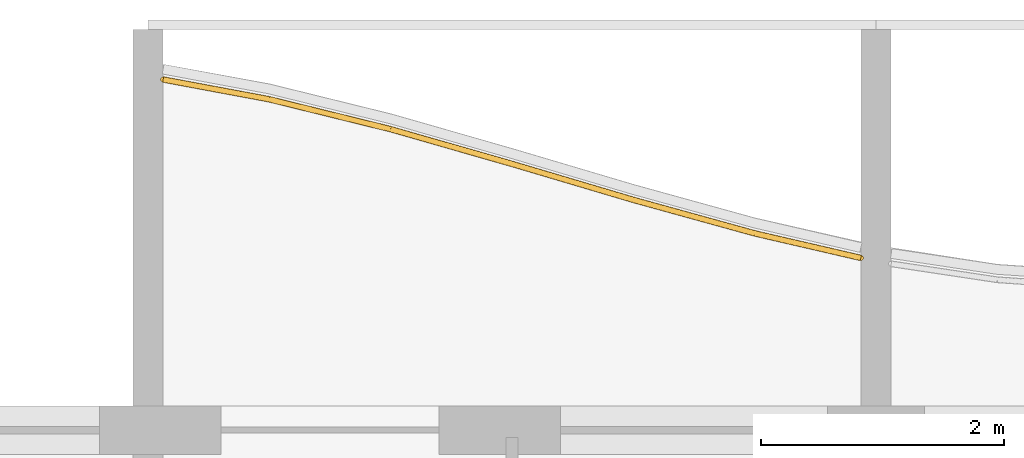
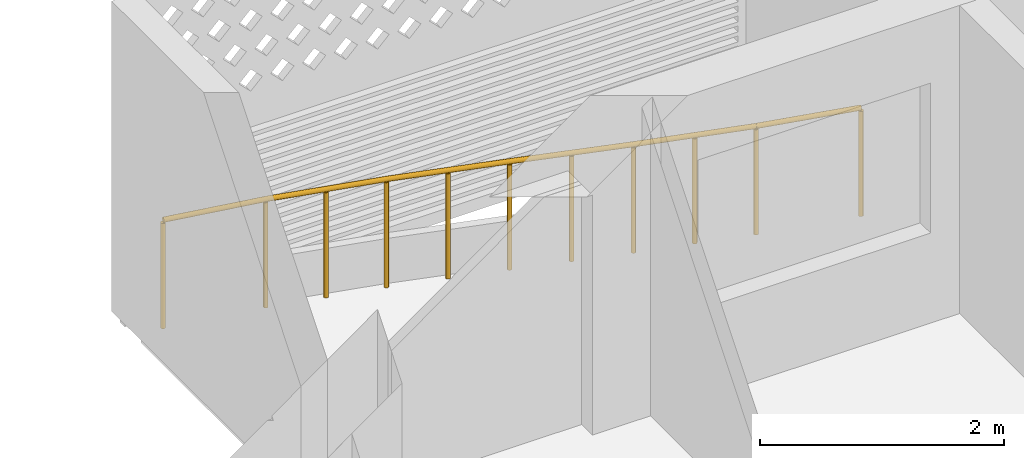
# One storey, part 23 of 26: 1 railing.
"""IFC4 building model written with IfcOpenShell, lengths in metres."""

from ifc_helpers import new_model, si_unit, direction, frame, origin, origin_2d, place, context, subcontext, project, spatial, circle, extrude, material, type_object, element, save


model = new_model("IFC4")

# Units and contexts
model_context = context("Model", 3, precision=1e-05, world=origin(), true_north=direction((0.0, 1.0)))
body_context = subcontext(model_context, "Body", "Model", "MODEL_VIEW")
ifc_project = project(units=[si_unit("LENGTHUNIT", "METRE"), si_unit("AREAUNIT", "SQUARE_METRE"), si_unit("VOLUMEUNIT", "CUBIC_METRE"), si_unit("PLANEANGLEUNIT", "RADIAN"), si_unit("MASSUNIT", "GRAM", prefix="KILO")], contexts=[model_context])

# Site, building, storey
site_placement = place(None, origin())
site = spatial("IfcSite", under=ifc_project, at=site_placement, CompositionType="ELEMENT")
building_placement = place(site_placement, origin())
building = spatial("IfcBuilding", under=site, at=building_placement, Name="Poui Terraces", CompositionType="ELEMENT")
storey_placement = place(building_placement, frame((0.0, 0.0, 178.5)))
storey = spatial("IfcBuildingStorey", under=building, at=storey_placement, Name="L49", CompositionType="ELEMENT", Elevation=178.5)

# Railing
ifc_material = material(Name="Painted steel fretwork", Category="steel")
railing_type = type_object("IfcRailingType", Name="BALCONY GUARD 1100", PredefinedType="GUARDRAIL", material=ifc_material)
railing_placement = place(storey_placement, frame((66.125, 44.08984375, 0.0)))
element("IfcRailing", 1, at=railing_placement, inside=storey, type_object=railing_type, Name="BALCONY GUARD", PredefinedType="GUARDRAIL", context=body_context, shape_type="SweptSolid", body=[
    extrude(circle(Radius=0.02392578125, at=origin_2d()), frame((0.0, 0.0, 1.076171875), z_axis=(0.983070349335, -0.183228513771, 0.0), x_axis=(0.183228513771, 0.983070349335, 0.0)), (0.0, 0.0, 1.0), 0.89013671875),
    extrude(circle(Radius=0.02392578125, at=origin_2d()), frame((0.875, -0.1630859375, 1.076171875), z_axis=(0.970973389115, -0.239187536528, 0.0), x_axis=(0.239187536528, 0.970973389115, 0.0)), (0.0, 0.0, 1.0), 1.02978515625),
    extrude(circle(Radius=0.02392578125, at=origin_2d()), frame((1.875, -0.409423828125, 1.076171875), z_axis=(0.96141758688, -0.275093118121, 0.0), x_axis=(0.275093118121, 0.96141758688, 0.0)), (0.0, 0.0, 1.0), 1.0400390625),
    extrude(circle(Radius=0.02392578125, at=origin_2d()), frame((2.875, -0.695556640625, 1.076171875), z_axis=(0.958774495191, -0.284168026651, 0.0), x_axis=(0.284168026651, 0.958774495191, 0.0)), (0.0, 0.0, 1.0), 1.04296875),
    extrude(circle(Radius=0.02392578125, at=origin_2d()), frame((3.875, -0.991943359375, 1.076171875), z_axis=(0.963928100541, -0.26616276409, 0.0), x_axis=(0.26616276409, 0.963928100541, 0.0)), (0.0, 0.0, 1.0), 1.037353515625),
    extrude(circle(Radius=0.02392578125, at=origin_2d()), frame((4.875, -1.26806640625, 1.076171875), z_axis=(0.974276529724, -0.225355815609, 0.0), x_axis=(0.225355815609, 0.974276529724, 0.0)), (0.0, 0.0, 1.0), 0.898193359375),
    extrude(circle(Radius=0.02099609375, at=origin_2d()), origin(), (0.0, 0.0, 1.0), 1.052001953125),
    extrude(circle(Radius=0.02099609375, at=origin_2d()), frame((0.875, -0.1630859375, 0.0)), (0.0, 0.0, 1.0), 1.052001953125),
    extrude(circle(Radius=0.02099609375, at=origin_2d()), frame((1.375, -0.2861328125, 0.0)), (0.0, 0.0, 1.0), 1.052001953125),
    extrude(circle(Radius=0.02099609375, at=origin_2d()), frame((1.875, -0.409423828125, 0.0)), (0.0, 0.0, 1.0), 1.052001953125),
    extrude(circle(Radius=0.02099609375, at=origin_2d()), frame((2.375, -0.552490234375, 0.0)), (0.0, 0.0, 1.0), 1.052001953125),
    extrude(circle(Radius=0.02099609375, at=origin_2d()), frame((2.875, -0.695556640625, 0.0)), (0.0, 0.0, 1.0), 1.052001953125),
    extrude(circle(Radius=0.02099609375, at=origin_2d()), frame((3.375, -0.84375, 0.0)), (0.0, 0.0, 1.0), 1.052001953125),
    extrude(circle(Radius=0.02099609375, at=origin_2d()), frame((3.875, -0.991943359375, 0.0)), (0.0, 0.0, 1.0), 1.052001953125),
    extrude(circle(Radius=0.02099609375, at=origin_2d()), frame((4.375, -1.1298828125, 0.0)), (0.0, 0.0, 1.0), 1.052001953125),
    extrude(circle(Radius=0.02099609375, at=origin_2d()), frame((4.875, -1.26806640625, 0.0)), (0.0, 0.0, 1.0), 1.052001953125),
    extrude(circle(Radius=0.02099609375, at=origin_2d()), frame((5.75, -1.470458984375, 0.0)), (0.0, 0.0, 1.0), 1.052001953125),
])

save(model, "model.ifc")
